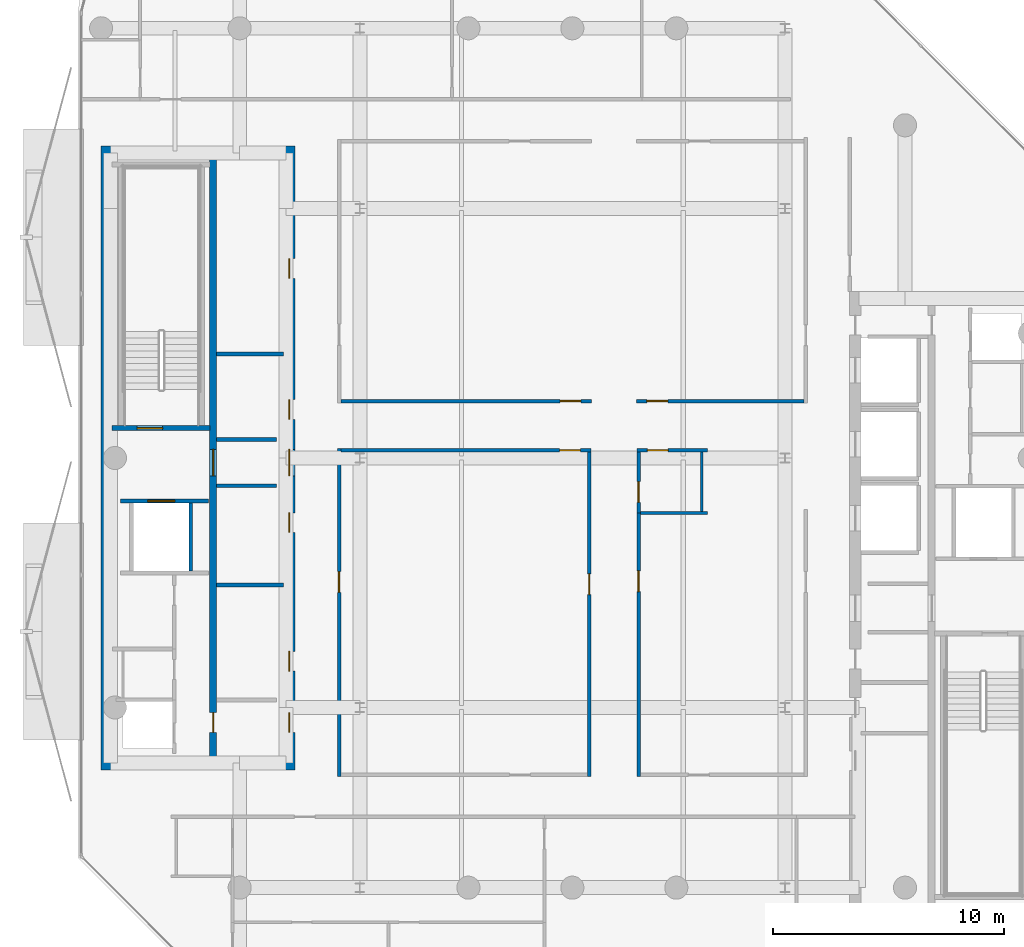
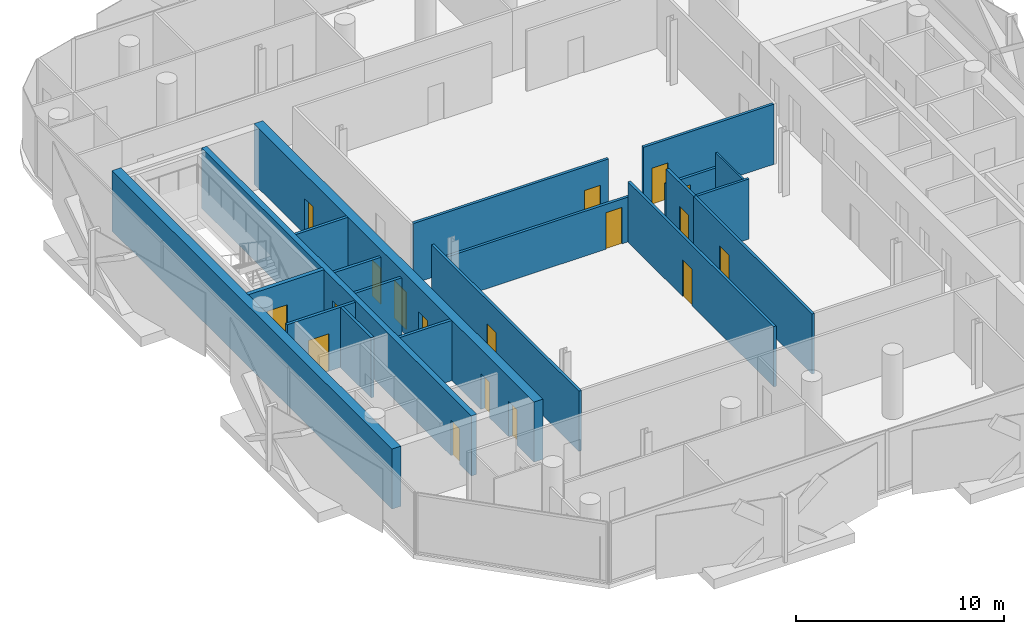
# One storey, part 5 of 16: 20 walls, 18 doors, 18 openings.
"""IFC4 building model written with IfcOpenShell, lengths in metres."""

from ifc_helpers import new_model, si_unit, direction, frame, frame_2d, origin, place, context, subcontext, project, spatial, rectangle, extrude, material, layer, layer_set, type_object, element, fill, save


model = new_model("IFC4")

# Units and contexts
model_context = context("Model", 3, precision=1e-05, world=origin(), true_north=direction((0.0, 1.0)))
body_context = subcontext(model_context, "Body", "Model", "MODEL_VIEW")
ifc_project = project(units=[si_unit("LENGTHUNIT", "METRE"), si_unit("AREAUNIT", "SQUARE_METRE"), si_unit("VOLUMEUNIT", "CUBIC_METRE"), si_unit("PLANEANGLEUNIT", "RADIAN"), si_unit("MASSUNIT", "GRAM", prefix="KILO")], contexts=[model_context])

# Site, building, storey
site_placement = place(None, origin())
site = spatial("IfcSite", under=ifc_project, at=site_placement, CompositionType="ELEMENT")
building_placement = place(site_placement, origin())
building = spatial("IfcBuilding", under=site, at=building_placement, Name="Khairoan Windgate Tower", CompositionType="ELEMENT")
storey_placement = place(building_placement, frame((0.0, 0.0, 292.800048828125)))
storey = spatial("IfcBuildingStorey", under=building, at=storey_placement, Name="L70", CompositionType="ELEMENT", Elevation=292.800048828125)

# Wall
ifc_material_1 = material(Name="Moisture-Resistant Gypsum Partition", Category="gypsum")
ifc_layer_1 = layer(ifc_material_1, 0.10009765625, Name="Moisture-Resistant Gypsum Partition")
ifc_layer_set_1 = layer_set([ifc_layer_1], Name="Moisture-Resistant Gypsum Partition")
wall_type_1 = type_object("IfcWallType", Name="Bathroom Wet-Area Partition Wall", PredefinedType="PARTITIONING", material=ifc_layer_set_1)
wall_1_placement = place(storey_placement, frame((5.60009765625, 0.260009765625, 0.0), z_axis=(0.0, 0.0, 1.0), x_axis=(0.0, -1.0, 0.0)))
element("IfcWall", 1, at=wall_1_placement, inside=storey, type_object=wall_type_1, Name="L70 Wet Room Side Wall 063", PredefinedType="PARTITIONING", context=body_context, shape_type="SweptSolid", body=[
    extrude(rectangle(XDim=2.570068359375, YDim=0.10009765625, at=frame_2d((1.28515625, 0.0))), origin(), (0.0, 0.0, 1.0), 3.5400390625),
])

# Wall, opening, door
ifc_material_2 = material(Name="Concrete C40/50", Category="concrete")
ifc_layer_2 = layer(ifc_material_2, 0.159912109375, Name="Concrete C40/50")
ifc_layer_set_2 = layer_set([ifc_layer_2], Name="Concrete C40/50")
wall_type_2 = type_object("IfcWallType", Name="Core and Hoistway Enclosure Wall", PredefinedType="STANDARD", material=ifc_layer_set_2)
wall_2_placement = place(storey_placement, frame((-19.550048828125, -1.860107421875, 0.0), z_axis=(0.0, 0.0, 1.0), x_axis=(1.0, 0.0, 0.0)))
wall_2 = element("IfcWall", 2, at=wall_2_placement, inside=storey, type_object=wall_type_2, Name="L70 Core Shaft Wall SW-FL2-L70", PredefinedType="STANDARD", context=body_context, shape_type="SweptSolid", body=[
    extrude(rectangle(XDim=3.800048828125, YDim=0.159912109375, at=frame_2d((1.89990234375, 0.0))), origin(), (0.0, 0.0, 1.0), 3.5400390625),
])
opening_1_placement = place(wall_2_placement, frame((1.179931640625, 0.0, 0.0)))
opening_1 = element("IfcOpeningElement", 3, at=opening_1_placement, cuts=wall_2, Name="Opening LD-FL", PredefinedType="OPENING", context=body_context, shape_type="SweptSolid", body=[
    extrude(rectangle(XDim=1.14990234375, YDim=2.199951171875, at=frame_2d((0.574951171875, 1.10009765625))), frame((0.0, 0.08984375, 0.0), z_axis=(0.0, -1.0, 0.0), x_axis=(1.0, 0.0, 0.0)), (0.0, 0.0, 1.0), 0.179931640625),
])
ifc_material_3 = material(Name="Steel S355", Category="steel")
door_type_1 = type_object("IfcDoorType", Name="Firefighting Lift Sliding Landing Door LD-FL 1150x2200", OperationType="DOUBLE_DOOR_SLIDING", PredefinedType="DOOR", material=ifc_material_3)
door_1_placement = place(opening_1_placement, origin())
door_1 = element("IfcDoor", 4, at=door_1_placement, inside=storey, type_object=door_type_1, Name="L70 Firefighting Lift FL2 Landing Door", OperationType="DOUBLE_DOOR_SLIDING", OverallHeight=2.199951171875, OverallWidth=1.14990234375, PredefinedType="DOOR", context=body_context, shape_type="SweptSolid", body=[
    extrude(rectangle(XDim=1.14990234375, YDim=2.199951171875, at=frame_2d((0.574951171875, 1.10009765625))), frame((0.0, 0.02490234375, 0.0), z_axis=(0.0, -1.0, 0.0), x_axis=(1.0, 0.0, 0.0)), (0.0, 0.0, 1.0), 0.050048828125),
])
fill(opening_1, door_1)

# Walls
wall_3_placement = place(storey_placement, frame((-16.52001953125, -4.89990234375, 0.0), z_axis=(0.0, 0.0, 1.0), x_axis=(0.0, 1.0, 0.0)))
element("IfcWall", 5, at=wall_3_placement, inside=storey, type_object=wall_type_2, Name="L70 Core Shaft Wall SW-FL2E-L70", PredefinedType="STANDARD", context=body_context, shape_type="SweptSolid", body=[
    extrude(rectangle(XDim=2.9599609375, YDim=0.159912109375, at=frame_2d((1.47998046875, 0.0))), origin(), (0.0, 0.0, 1.0), 3.5400390625),
])
for number, where, z_axis, x_axis, name in (
    (6, (-15.39990234375, 0.800048828125, 0.0), (0.0, 0.0, 1.0), (1.0, 0.0, 0.0), "L70 Core Shaft Wall SW-WV1-L70"),
    (7, (-15.39990234375, -1.199951171875, 0.0), (0.0, 0.0, 1.0), (1.0, 0.0, 0.0), "L70 Core Shaft Wall SW-WV2-L70"),
):
    element("IfcWall", number, at=place(storey_placement, frame(where, z_axis=z_axis, x_axis=x_axis)), inside=storey, type_object=wall_type_2, Name=name, PredefinedType="STANDARD", context=body_context, shape_type="SweptSolid", body=[
        extrude(rectangle(XDim=2.599853515625, YDim=0.159912109375, at=frame_2d((1.2998046875, 0.0))), origin(), (0.0, 0.0, 1.0), 3.5400390625),
    ])
ifc_material_4 = material(Name="Acoustic Fire-Rated Gypsum Partition", Category="gypsum")
ifc_layer_3 = layer(ifc_material_4, 0.139892578125, Name="Acoustic Fire-Rated Gypsum Partition")
ifc_layer_set_3 = layer_set([ifc_layer_3], Name="Acoustic Fire-Rated Gypsum Partition")
wall_type_3 = type_object("IfcWallType", Name="Inter-Tenancy Compartment Wall", PredefinedType="PARTITIONING", material=ifc_layer_set_3)
wall_4_placement = place(storey_placement, frame((2.93994140625, -2.3798828125, 0.0), z_axis=(0.0, 0.0, 1.0), x_axis=(1.0, 0.0, 0.0)))
element("IfcWall", 8, at=wall_4_placement, inside=storey, type_object=wall_type_3, Name="L70 Interior Partition 059", PredefinedType="PARTITIONING", context=body_context, shape_type="SweptSolid", body=[
    extrude(rectangle(XDim=2.900146484375, YDim=0.139892578125, at=frame_2d((1.4501953125, 0.0))), origin(), (0.0, 0.0, 1.0), 3.5400390625),
])
ifc_material_5 = material(Name="Concrete C40/50", Category="concrete")
ifc_layer_4 = layer(ifc_material_5, 0.159912109375, Name="Concrete C40/50")
ifc_layer_set_4 = layer_set([ifc_layer_4], Name="Concrete C40/50")
wall_type_4 = type_object("IfcWallType", Name="Plant and Refuge Compartment Wall", PredefinedType="PARTITIONING", material=ifc_layer_set_4)
for number, where, z_axis, x_axis, name in (
    (9, (-15.39990234375, 4.5, 0.0), (0.0, 0.0, 1.0), (1.0, 0.0, 0.0), "L70 Interior Partition 006"),
    (10, (-15.39990234375, -5.5, 0.0), (0.0, 0.0, 1.0), (1.0, 0.0, 0.0), "L70 Interior Partition 007"),
):
    element("IfcWall", number, at=place(storey_placement, frame(where, z_axis=z_axis, x_axis=x_axis)), inside=storey, type_object=wall_type_4, Name=name, PredefinedType="PARTITIONING", context=body_context, shape_type="SweptSolid", body=[
        extrude(rectangle(XDim=2.89990234375, YDim=0.159912109375, at=frame_2d((1.449951171875, 0.0))), origin(), (0.0, 0.0, 1.0), 3.5400390625),
    ])

# Wall, opening, door
ifc_material_6 = material(Name="Acoustic Fire-Rated Gypsum Partition", Category="gypsum")
ifc_layer_5 = layer(ifc_material_6, 0.14990234375, Name="Acoustic Fire-Rated Gypsum Partition")
ifc_layer_set_5 = layer_set([ifc_layer_5], Name="Acoustic Fire-Rated Gypsum Partition")
wall_type_5 = type_object("IfcWallType", Name="Rated Corridor Partition Wall", PredefinedType="PARTITIONING", material=ifc_layer_set_5)
wall_5_placement = place(storey_placement, frame((-10.10009765625, -13.794921875, 0.0), z_axis=(0.0, 0.0, 1.0), x_axis=(0.0, 1.0, 0.0)))
wall_5 = element("IfcWall", 11, at=wall_5_placement, inside=storey, type_object=wall_type_5, Name="L70 Interior Partition 016", PredefinedType="PARTITIONING", context=body_context, shape_type="SweptSolid", body=[
    extrude(rectangle(XDim=14.204833984375, YDim=0.14990234375, at=frame_2d((7.1025390625, 0.0))), origin(), (0.0, 0.0, 1.0), 3.5400390625),
])
opening_2_placement = place(wall_5_placement, frame((7.97216796875, 0.0, 0.0)))
opening_2 = element("IfcOpeningElement", 12, at=opening_2_placement, cuts=wall_5, Name="Opening FD-ENT", PredefinedType="OPENING", context=body_context, shape_type="SweptSolid", body=[
    extrude(rectangle(XDim=0.89990234375, YDim=2.14990234375, at=frame_2d((0.449951171875, 1.074951171875))), frame((0.0, 0.0849609375, 0.0), z_axis=(0.0, -1.0, 0.0), x_axis=(1.0, 0.0, 0.0)), (0.0, 0.0, 1.0), 0.169921875),
])
ifc_material_7 = material(Name="Timber Fire-Rated Core", Category="wood")
door_type_2 = type_object("IfcDoorType", Name="Unit and Office Fire Entrance Door FD-ENT 900x2150", OperationType="NOTDEFINED", PredefinedType="DOOR", material=ifc_material_7)
door_2_placement = place(opening_2_placement, origin())
door_2 = element("IfcDoor", 13, at=door_2_placement, inside=storey, type_object=door_type_2, Name="L70 L70-29-L70-51 Door", OperationType="SINGLE_SWING_LEFT", OverallHeight=2.14990234375, OverallWidth=0.89990234375, PredefinedType="DOOR", context=body_context, shape_type="SweptSolid", body=[
    extrude(rectangle(XDim=0.89990234375, YDim=2.14990234375, at=frame_2d((0.449951171875, 1.074951171875))), frame((0.0, 0.02490234375, 0.0), z_axis=(0.0, -1.0, 0.0), x_axis=(1.0, 0.0, 0.0)), (0.0, 0.0, 1.0), 0.050048828125),
])
fill(opening_2, door_2)

wall_6_placement = place(storey_placement, frame((-10.02490234375, 2.465087890625, 0.0), z_axis=(0.0, 0.0, 1.0), x_axis=(1.0, 0.0, 0.0)))
wall_6 = element("IfcWall", 14, at=wall_6_placement, inside=storey, type_object=wall_type_5, Name="L70 Interior Partition 020", PredefinedType="PARTITIONING", context=body_context, shape_type="SweptSolid", body=[
    extrude(rectangle(XDim=10.85498046875, YDim=0.14990234375, at=frame_2d((5.427490234375, 0.0))), origin(), (0.0, 0.0, 1.0), 3.5400390625),
])
opening_3_placement = place(wall_6_placement, frame((9.4951171875, 0.0, 0.0)))
opening_3 = element("IfcOpeningElement", 15, at=opening_3_placement, cuts=wall_6, Name="Opening FD-ENT", PredefinedType="OPENING", context=body_context, shape_type="SweptSolid", body=[
    extrude(rectangle(XDim=0.89990234375, YDim=2.14990234375, at=frame_2d((0.449951171875, 1.074951171875))), frame((0.0, 0.0849609375, 0.0), z_axis=(0.0, -1.0, 0.0), x_axis=(1.0, 0.0, 0.0)), (0.0, 0.0, 1.0), 0.169921875),
])
door_3_placement = place(opening_3_placement, origin())
door_3 = element("IfcDoor", 16, at=door_3_placement, inside=storey, type_object=door_type_2, Name="L70 L70-31-L70-50 Door", OperationType="SINGLE_SWING_LEFT", OverallHeight=2.14990234375, OverallWidth=0.89990234375, PredefinedType="DOOR", context=body_context, shape_type="SweptSolid", body=[
    extrude(rectangle(XDim=0.89990234375, YDim=2.14990234375, at=frame_2d((0.449951171875, 1.074951171875))), frame((0.0, 0.02490234375, 0.0), z_axis=(0.0, -1.0, 0.0), x_axis=(1.0, 0.0, 0.0)), (0.0, 0.0, 1.0), 0.050048828125),
])
fill(opening_3, door_3)

wall_7_placement = place(storey_placement, frame((-10.02490234375, 0.3349609375, 0.0), z_axis=(0.0, 0.0, 1.0), x_axis=(1.0, 0.0, 0.0)))
wall_7 = element("IfcWall", 17, at=wall_7_placement, inside=storey, type_object=wall_type_5, Name="L70 Interior Partition 021", PredefinedType="PARTITIONING", context=body_context, shape_type="SweptSolid", body=[
    extrude(rectangle(XDim=10.8349609375, YDim=0.14990234375, at=frame_2d((5.41748046875, 0.0))), origin(), (0.0, 0.0, 1.0), 2.639892578125),
])
opening_4_placement = place(wall_7_placement, frame((9.47509765625, 0.0, 0.0)))
opening_4 = element("IfcOpeningElement", 18, at=opening_4_placement, cuts=wall_7, Name="Opening FD-ENT", PredefinedType="OPENING", context=body_context, shape_type="SweptSolid", body=[
    extrude(rectangle(XDim=0.89990234375, YDim=2.14990234375, at=frame_2d((0.449951171875, 1.074951171875))), frame((0.0, 0.0849609375, 0.0), z_axis=(0.0, -1.0, 0.0), x_axis=(1.0, 0.0, 0.0)), (0.0, 0.0, 1.0), 0.169921875),
])
door_4_placement = place(opening_4_placement, origin())
door_4 = element("IfcDoor", 19, at=door_4_placement, inside=storey, type_object=door_type_2, Name="L70 L70-31-L70-51 Door", OperationType="SINGLE_SWING_RIGHT", OverallHeight=2.14990234375, OverallWidth=0.89990234375, PredefinedType="DOOR", context=body_context, shape_type="SweptSolid", body=[
    extrude(rectangle(XDim=0.89990234375, YDim=2.14990234375, at=frame_2d((0.449951171875, 1.074951171875))), frame((0.0, 0.02490234375, 0.0), z_axis=(0.0, -1.0, 0.0), x_axis=(1.0, 0.0, 0.0)), (0.0, 0.0, 1.0), 0.050048828125),
])
fill(opening_4, door_4)

wall_8_placement = place(storey_placement, frame((2.77001953125, 2.465087890625, 0.0), z_axis=(0.0, 0.0, 1.0), x_axis=(1.0, 0.0, 0.0)))
wall_8 = element("IfcWall", 20, at=wall_8_placement, inside=storey, type_object=wall_type_5, Name="L70 Interior Partition 022", PredefinedType="PARTITIONING", context=body_context, shape_type="SweptSolid", body=[
    extrude(rectangle(XDim=7.2548828125, YDim=0.14990234375, at=frame_2d((3.62744140625, 0.0))), origin(), (0.0, 0.0, 1.0), 3.5400390625),
])
opening_5_placement = place(wall_8_placement, frame((0.4599609375, 0.0, 0.0)))
opening_5 = element("IfcOpeningElement", 21, at=opening_5_placement, cuts=wall_8, Name="Opening FD-ENT", PredefinedType="OPENING", context=body_context, shape_type="SweptSolid", body=[
    extrude(rectangle(XDim=0.89990234375, YDim=2.14990234375, at=frame_2d((0.449951171875, 1.074951171875))), frame((0.0, 0.0849609375, 0.0), z_axis=(0.0, -1.0, 0.0), x_axis=(1.0, 0.0, 0.0)), (0.0, 0.0, 1.0), 0.169921875),
])
door_5_placement = place(opening_5_placement, origin())
door_5 = element("IfcDoor", 22, at=door_5_placement, inside=storey, type_object=door_type_2, Name="L70 L70-31-L70-52 Door", OperationType="SINGLE_SWING_LEFT", OverallHeight=2.14990234375, OverallWidth=0.89990234375, PredefinedType="DOOR", context=body_context, shape_type="SweptSolid", body=[
    extrude(rectangle(XDim=0.89990234375, YDim=2.14990234375, at=frame_2d((0.449951171875, 1.074951171875))), frame((0.0, 0.02490234375, 0.0), z_axis=(0.0, -1.0, 0.0), x_axis=(1.0, 0.0, 0.0)), (0.0, 0.0, 1.0), 0.050048828125),
])
fill(opening_5, door_5)

wall_9_placement = place(storey_placement, frame((2.7900390625, 0.3349609375, 0.0), z_axis=(0.0, 0.0, 1.0), x_axis=(1.0, 0.0, 0.0)))
wall_9 = element("IfcWall", 23, at=wall_9_placement, inside=storey, type_object=wall_type_5, Name="L70 Interior Partition 023", PredefinedType="PARTITIONING", context=body_context, shape_type="SweptSolid", body=[
    extrude(rectangle(XDim=3.050048828125, YDim=0.14990234375, at=frame_2d((1.52490234375, 0.0))), origin(), (0.0, 0.0, 1.0), 2.639892578125),
])
opening_6_placement = place(wall_9_placement, frame((0.4599609375, 0.0, 0.0)))
opening_6 = element("IfcOpeningElement", 24, at=opening_6_placement, cuts=wall_9, Name="Opening FD-ENT", PredefinedType="OPENING", context=body_context, shape_type="SweptSolid", body=[
    extrude(rectangle(XDim=0.89990234375, YDim=2.14990234375, at=frame_2d((0.449951171875, 1.074951171875))), frame((0.0, 0.0849609375, 0.0), z_axis=(0.0, -1.0, 0.0), x_axis=(1.0, 0.0, 0.0)), (0.0, 0.0, 1.0), 0.169921875),
])
door_6_placement = place(opening_6_placement, origin())
door_6 = element("IfcDoor", 25, at=door_6_placement, inside=storey, type_object=door_type_2, Name="L70 L70-31-L70-53 Door", OperationType="SINGLE_SWING_RIGHT", OverallHeight=2.14990234375, OverallWidth=0.89990234375, PredefinedType="DOOR", context=body_context, shape_type="SweptSolid", body=[
    extrude(rectangle(XDim=0.89990234375, YDim=2.14990234375, at=frame_2d((0.449951171875, 1.074951171875))), frame((0.0, 0.02490234375, 0.0), z_axis=(0.0, -1.0, 0.0), x_axis=(1.0, 0.0, 0.0)), (0.0, 0.0, 1.0), 0.050048828125),
])
fill(opening_6, door_6)

wall_10_placement = place(storey_placement, frame((0.735107421875, -13.794921875, 0.0), z_axis=(0.0, 0.0, 1.0), x_axis=(0.0, 1.0, 0.0)))
wall_10 = element("IfcWall", 26, at=wall_10_placement, inside=storey, type_object=wall_type_5, Name="L70 Interior Partition 024", PredefinedType="PARTITIONING", context=body_context, shape_type="SweptSolid", body=[
    extrude(rectangle(XDim=14.054931640625, YDim=0.14990234375, at=frame_2d((7.02734375, 0.0))), origin(), (0.0, 0.0, 1.0), 3.5400390625),
])
opening_7_placement = place(wall_10_placement, frame((7.881103515625, 0.0, 0.0)))
opening_7 = element("IfcOpeningElement", 27, at=opening_7_placement, cuts=wall_10, Name="Opening FD-ENT", PredefinedType="OPENING", context=body_context, shape_type="SweptSolid", body=[
    extrude(rectangle(XDim=0.89990234375, YDim=2.14990234375, at=frame_2d((0.449951171875, 1.074951171875))), frame((0.0, 0.0849609375, 0.0), z_axis=(0.0, -1.0, 0.0), x_axis=(1.0, 0.0, 0.0)), (0.0, 0.0, 1.0), 0.169921875),
])
door_7_placement = place(opening_7_placement, origin())
door_7 = element("IfcDoor", 28, at=door_7_placement, inside=storey, type_object=door_type_2, Name="L70 L70-32-L70-51 Door", OperationType="SINGLE_SWING_LEFT", OverallHeight=2.14990234375, OverallWidth=0.89990234375, PredefinedType="DOOR", context=body_context, shape_type="SweptSolid", body=[
    extrude(rectangle(XDim=0.89990234375, YDim=2.14990234375, at=frame_2d((0.449951171875, 1.074951171875))), frame((0.0, 0.02490234375, 0.0), z_axis=(0.0, -1.0, 0.0), x_axis=(1.0, 0.0, 0.0)), (0.0, 0.0, 1.0), 0.050048828125),
])
fill(opening_7, door_7)

wall_11_placement = place(storey_placement, frame((2.864990234375, -2.3798828125, 0.0), z_axis=(0.0, 0.0, 1.0), x_axis=(0.0, 1.0, 0.0)))
wall_11 = element("IfcWall", 29, at=wall_11_placement, inside=storey, type_object=wall_type_5, Name="L70 Interior Partition 025", PredefinedType="PARTITIONING", context=body_context, shape_type="SweptSolid", body=[
    extrude(rectangle(XDim=2.639892578125, YDim=0.14990234375, at=frame_2d((1.31982421875, 0.0))), origin(), (0.0, 0.0, 1.0), 3.5400390625),
])
opening_8_placement = place(wall_11_placement, frame((0.4599609375, 0.0, 0.0)))
opening_8 = element("IfcOpeningElement", 30, at=opening_8_placement, cuts=wall_11, Name="Opening FD-ENT", PredefinedType="OPENING", context=body_context, shape_type="SweptSolid", body=[
    extrude(rectangle(XDim=0.89990234375, YDim=2.14990234375, at=frame_2d((0.449951171875, 1.074951171875))), frame((0.0, 0.0849609375, 0.0), z_axis=(0.0, -1.0, 0.0), x_axis=(1.0, 0.0, 0.0)), (0.0, 0.0, 1.0), 0.169921875),
])
door_8_placement = place(opening_8_placement, origin())
door_8 = element("IfcDoor", 31, at=door_8_placement, inside=storey, type_object=door_type_2, Name="L70 L70-32-L70-53 Door", OperationType="SINGLE_SWING_RIGHT", OverallHeight=2.14990234375, OverallWidth=0.89990234375, PredefinedType="DOOR", context=body_context, shape_type="SweptSolid", body=[
    extrude(rectangle(XDim=0.89990234375, YDim=2.14990234375, at=frame_2d((0.449951171875, 1.074951171875))), frame((0.0, 0.02490234375, 0.0), z_axis=(0.0, -1.0, 0.0), x_axis=(1.0, 0.0, 0.0)), (0.0, 0.0, 1.0), 0.050048828125),
])
fill(opening_8, door_8)

wall_12_placement = place(storey_placement, frame((2.864990234375, -13.794921875, 0.0), z_axis=(0.0, 0.0, 1.0), x_axis=(0.0, 1.0, 0.0)))
wall_12 = element("IfcWall", 32, at=wall_12_placement, inside=storey, type_object=wall_type_5, Name="L70 Interior Partition 026", PredefinedType="PARTITIONING", context=body_context, shape_type="SweptSolid", body=[
    extrude(rectangle(XDim=11.4150390625, YDim=0.14990234375, at=frame_2d((5.70751953125, 0.0))), origin(), (0.0, 0.0, 1.0), 3.5400390625),
])
opening_9_placement = place(wall_12_placement, frame((8.013427734375, 0.0, 0.0)))
opening_9 = element("IfcOpeningElement", 33, at=opening_9_placement, cuts=wall_12, Name="Opening FD-ENT", PredefinedType="OPENING", context=body_context, shape_type="SweptSolid", body=[
    extrude(rectangle(XDim=0.89990234375, YDim=2.14990234375, at=frame_2d((0.449951171875, 1.074951171875))), frame((0.0, 0.0849609375, 0.0), z_axis=(0.0, -1.0, 0.0), x_axis=(1.0, 0.0, 0.0)), (0.0, 0.0, 1.0), 0.169921875),
])
door_9_placement = place(opening_9_placement, origin())
door_9 = element("IfcDoor", 34, at=door_9_placement, inside=storey, type_object=door_type_2, Name="L70 L70-32-L70-54 Door", OperationType="SINGLE_SWING_LEFT", OverallHeight=2.14990234375, OverallWidth=0.89990234375, PredefinedType="DOOR", context=body_context, shape_type="SweptSolid", body=[
    extrude(rectangle(XDim=0.89990234375, YDim=2.14990234375, at=frame_2d((0.449951171875, 1.074951171875))), frame((0.0, 0.02490234375, 0.0), z_axis=(0.0, -1.0, 0.0), x_axis=(1.0, 0.0, 0.0)), (0.0, 0.0, 1.0), 0.050048828125),
])
fill(opening_9, door_9)

# Wall
ifc_material_8 = material(Name="Concrete C50/60", Category="concrete")
ifc_layer_6 = layer(ifc_material_8, 0.5, Name="Concrete C50/60")
ifc_layer_set_6 = layer_set([ifc_layer_6], Name="Concrete C50/60")
wall_type_6 = type_object("IfcWallType", Name="Shear Wall CW-W3 500mm", PredefinedType="SHEAR", material=ifc_layer_set_6)
wall_13_placement = place(storey_placement, frame((-20.14990234375, -13.5, 0.0), z_axis=(0.0, 0.0, 1.0), x_axis=(0.0, 1.0, 0.0)))
element("IfcWall", 35, at=wall_13_placement, inside=storey, type_object=wall_type_6, Name="W Core West Shear Wall L70", PredefinedType="SHEAR", context=body_context, shape_type="SweptSolid", body=[
    extrude(rectangle(XDim=27.0, YDim=0.5, at=frame_2d((13.5, 0.0))), origin(), (0.0, 0.0, 1.0), 3.5400390625),
])

# Wall, openings, doors
wall_14_placement = place(storey_placement, frame((-12.25, -13.5, 0.0), z_axis=(0.0, 0.0, 1.0), x_axis=(0.0, 1.0, 0.0)))
wall_14 = element("IfcWall", 36, at=wall_14_placement, inside=storey, type_object=wall_type_6, Name="W Core East Shear Wall L70", PredefinedType="SHEAR", context=body_context, shape_type="SweptSolid", body=[
    extrude(rectangle(XDim=27.0, YDim=0.5, at=frame_2d((13.5, 0.0))), origin(), (0.0, 0.0, 1.0), 3.5400390625),
])
opening_10_placement = place(wall_14_placement, frame((15.175048828125, 0.0, 0.0)))
opening_10 = element("IfcOpeningElement", 37, at=opening_10_placement, cuts=wall_14, Name="Opening FD-SRV", PredefinedType="OPENING", context=body_context, shape_type="SweptSolid", body=[
    extrude(rectangle(XDim=0.85009765625, YDim=2.10009765625, at=frame_2d((0.425048828125, 1.050048828125))), frame((0.0, 0.260009765625, 0.0), z_axis=(0.0, -1.0, 0.0), x_axis=(1.0, 0.0, 0.0)), (0.0, 0.0, 1.0), 0.52001953125),
])
opening_11_placement = place(wall_14_placement, frame((21.27490234375, 0.0, 0.0)))
opening_11 = element("IfcOpeningElement", 38, at=opening_11_placement, cuts=wall_14, Name="Opening FD-SRV", PredefinedType="OPENING", context=body_context, shape_type="SweptSolid", body=[
    extrude(rectangle(XDim=0.85009765625, YDim=2.10009765625, at=frame_2d((0.425048828125, 1.050048828125))), frame((0.0, 0.260009765625, 0.0), z_axis=(0.0, -1.0, 0.0), x_axis=(1.0, 0.0, 0.0)), (0.0, 0.0, 1.0), 0.52001953125),
])
opening_12_placement = place(wall_14_placement, frame((4.27490234375, 0.0, 0.0)))
opening_12 = element("IfcOpeningElement", 39, at=opening_12_placement, cuts=wall_14, Name="Opening FD-SRV", PredefinedType="OPENING", context=body_context, shape_type="SweptSolid", body=[
    extrude(rectangle(XDim=0.85009765625, YDim=2.10009765625, at=frame_2d((0.425048828125, 1.050048828125))), frame((0.0, 0.260009765625, 0.0), z_axis=(0.0, -1.0, 0.0), x_axis=(1.0, 0.0, 0.0)), (0.0, 0.0, 1.0), 0.52001953125),
])
opening_13_placement = place(wall_14_placement, frame((10.27490234375, 0.0, 0.0)))
opening_13 = element("IfcOpeningElement", 40, at=opening_13_placement, cuts=wall_14, Name="Opening FD-SRV", PredefinedType="OPENING", context=body_context, shape_type="SweptSolid", body=[
    extrude(rectangle(XDim=0.85009765625, YDim=2.10009765625, at=frame_2d((0.425048828125, 1.050048828125))), frame((0.0, 0.260009765625, 0.0), z_axis=(0.0, -1.0, 0.0), x_axis=(1.0, 0.0, 0.0)), (0.0, 0.0, 1.0), 0.52001953125),
])
opening_14_placement = place(wall_14_placement, frame((12.72509765625, 0.0, 0.0)))
opening_14 = element("IfcOpeningElement", 41, at=opening_14_placement, cuts=wall_14, Name="Opening FD-FFL", PredefinedType="OPENING", context=body_context, shape_type="SweptSolid", body=[
    extrude(rectangle(XDim=1.14990234375, YDim=2.199951171875, at=frame_2d((0.574951171875, 1.10009765625))), frame((0.0, 0.260009765625, 0.0), z_axis=(0.0, -1.0, 0.0), x_axis=(1.0, 0.0, 0.0)), (0.0, 0.0, 1.0), 0.52001953125),
])
opening_15_placement = place(wall_14_placement, frame((1.625, 0.0, 0.0)))
opening_15 = element("IfcOpeningElement", 42, at=opening_15_placement, cuts=wall_14, Name="Opening FD-SRV", PredefinedType="OPENING", context=body_context, shape_type="SweptSolid", body=[
    extrude(rectangle(XDim=0.85009765625, YDim=2.10009765625, at=frame_2d((0.425048828125, 1.050048828125))), frame((0.0, 0.260009765625, 0.0), z_axis=(0.0, -1.0, 0.0), x_axis=(1.0, 0.0, 0.0)), (0.0, 0.0, 1.0), 0.52001953125),
])
ifc_material_9 = material(Name="Steel S355", Category="steel")
door_type_3 = type_object("IfcDoorType", Name="Core Service and Riser Fire Door FD-SRV 850x2100", OperationType="NOTDEFINED", PredefinedType="DOOR", material=ifc_material_9)
door_10_placement = place(opening_10_placement, origin())
door_10 = element("IfcDoor", 43, at=door_10_placement, inside=storey, type_object=door_type_3, Name="L70 Upper Core Room Door B1-1", OperationType="SINGLE_SWING_LEFT", OverallHeight=2.10009765625, OverallWidth=0.85009765625, PredefinedType="DOOR", context=body_context, shape_type="SweptSolid", body=[
    extrude(rectangle(XDim=0.85009765625, YDim=2.10009765625, at=frame_2d((0.425048828125, 1.050048828125))), frame((0.0, 0.02490234375, 0.0), z_axis=(0.0, -1.0, 0.0), x_axis=(1.0, 0.0, 0.0)), (0.0, 0.0, 1.0), 0.050048828125),
])
fill(opening_10, door_10)
door_11_placement = place(opening_11_placement, origin())
door_11 = element("IfcDoor", 44, at=door_11_placement, inside=storey, type_object=door_type_3, Name="L70 Upper Core Room Door B1-2", OperationType="SINGLE_SWING_RIGHT", OverallHeight=2.10009765625, OverallWidth=0.85009765625, PredefinedType="DOOR", context=body_context, shape_type="SweptSolid", body=[
    extrude(rectangle(XDim=0.85009765625, YDim=2.10009765625, at=frame_2d((0.425048828125, 1.050048828125))), frame((0.0, 0.02490234375, 0.0), z_axis=(0.0, -1.0, 0.0), x_axis=(1.0, 0.0, 0.0)), (0.0, 0.0, 1.0), 0.050048828125),
])
fill(opening_11, door_11)
door_12_placement = place(opening_12_placement, origin())
door_12 = element("IfcDoor", 45, at=door_12_placement, inside=storey, type_object=door_type_3, Name="L70 Upper Core Room Door B2-1", OperationType="SINGLE_SWING_LEFT", OverallHeight=2.10009765625, OverallWidth=0.85009765625, PredefinedType="DOOR", context=body_context, shape_type="SweptSolid", body=[
    extrude(rectangle(XDim=0.85009765625, YDim=2.10009765625, at=frame_2d((0.425048828125, 1.050048828125))), frame((0.0, 0.02490234375, 0.0), z_axis=(0.0, -1.0, 0.0), x_axis=(1.0, 0.0, 0.0)), (0.0, 0.0, 1.0), 0.050048828125),
])
fill(opening_12, door_12)
door_13_placement = place(opening_13_placement, origin())
door_13 = element("IfcDoor", 46, at=door_13_placement, inside=storey, type_object=door_type_3, Name="L70 Upper Core Room Door B2-2", OperationType="SINGLE_SWING_RIGHT", OverallHeight=2.10009765625, OverallWidth=0.85009765625, PredefinedType="DOOR", context=body_context, shape_type="SweptSolid", body=[
    extrude(rectangle(XDim=0.85009765625, YDim=2.10009765625, at=frame_2d((0.425048828125, 1.050048828125))), frame((0.0, 0.02490234375, 0.0), z_axis=(0.0, -1.0, 0.0), x_axis=(1.0, 0.0, 0.0)), (0.0, 0.0, 1.0), 0.050048828125),
])
fill(opening_13, door_13)
door_14_placement = place(opening_15_placement, origin())
door_14 = element("IfcDoor", 47, at=door_14_placement, inside=storey, type_object=door_type_3, Name="L70 West Core Service Vestibule Outer Door", OperationType="SINGLE_SWING_RIGHT", OverallHeight=2.10009765625, OverallWidth=0.85009765625, PredefinedType="DOOR", context=body_context, shape_type="SweptSolid", body=[
    extrude(rectangle(XDim=0.85009765625, YDim=2.10009765625, at=frame_2d((0.425048828125, 1.050048828125))), frame((0.0, 0.02490234375, 0.0), z_axis=(0.0, -1.0, 0.0), x_axis=(1.0, 0.0, 0.0)), (0.0, 0.0, 1.0), 0.050048828125),
])
fill(opening_15, door_14)
ifc_material_10 = material(Name="Steel S355", Category="steel")
door_type_4 = type_object("IfcDoorType", Name="Firefighting Lobby Fire Door FD-FFL 1150x2200", OperationType="NOTDEFINED", PredefinedType="DOOR", material=ifc_material_10)
door_15_placement = place(opening_14_placement, origin())
door_15 = element("IfcDoor", 48, at=door_15_placement, inside=storey, type_object=door_type_4, Name="L70 West Core Vestibule Entry Door", OperationType="SINGLE_SWING_RIGHT", OverallHeight=2.199951171875, OverallWidth=1.14990234375, PredefinedType="DOOR", context=body_context, shape_type="SweptSolid", body=[
    extrude(rectangle(XDim=1.14990234375, YDim=2.199951171875, at=frame_2d((0.574951171875, 1.10009765625))), frame((0.0, 0.02490234375, 0.0), z_axis=(0.0, -1.0, 0.0), x_axis=(1.0, 0.0, 0.0)), (0.0, 0.0, 1.0), 0.050048828125),
])
fill(opening_14, door_15)

ifc_material_11 = material(Name="Concrete C50/60", Category="concrete")
ifc_layer_7 = layer(ifc_material_11, 0.300048828125, Name="Concrete C50/60")
ifc_layer_set_7 = layer_set([ifc_layer_7], Name="Concrete C50/60")
wall_type_7 = type_object("IfcWallType", Name="Shear Wall SW-2 300mm", PredefinedType="SHEAR", material=ifc_layer_set_7)
wall_15_placement = place(storey_placement, frame((-15.550048828125, -13.0, 0.0), z_axis=(0.0, 0.0, 1.0), x_axis=(0.0, 1.0, 0.0)))
wall_15 = element("IfcWall", 49, at=wall_15_placement, inside=storey, type_object=wall_type_7, Name="W Core Spine Shear Wall L70", PredefinedType="SHEAR", context=body_context, shape_type="SweptSolid", body=[
    extrude(rectangle(XDim=26.0, YDim=0.300048828125, at=frame_2d((13.0, 0.0))), origin(), (0.0, 0.0, 1.0), 3.5400390625),
])
opening_16_placement = place(wall_15_placement, frame((12.22509765625, 0.0, 0.0)))
opening_16 = element("IfcOpeningElement", 50, at=opening_16_placement, cuts=wall_15, Name="Opening FD-FFL", PredefinedType="OPENING", context=body_context, shape_type="SweptSolid", body=[
    extrude(rectangle(XDim=1.14990234375, YDim=2.199951171875, at=frame_2d((0.574951171875, 1.10009765625))), frame((0.0, 0.159912109375, 0.0), z_axis=(0.0, -1.0, 0.0), x_axis=(1.0, 0.0, 0.0)), (0.0, 0.0, 1.0), 0.320068359375),
])
opening_17_placement = place(wall_15_placement, frame((1.125, 0.0, 0.0)))
opening_17 = element("IfcOpeningElement", 51, at=opening_17_placement, cuts=wall_15, Name="Opening FD-SRV", PredefinedType="OPENING", context=body_context, shape_type="SweptSolid", body=[
    extrude(rectangle(XDim=0.85009765625, YDim=2.10009765625, at=frame_2d((0.425048828125, 1.050048828125))), frame((0.0, 0.159912109375, 0.0), z_axis=(0.0, -1.0, 0.0), x_axis=(1.0, 0.0, 0.0)), (0.0, 0.0, 1.0), 0.320068359375),
])
door_16_placement = place(opening_17_placement, origin())
door_16 = element("IfcDoor", 52, at=door_16_placement, inside=storey, type_object=door_type_3, Name="L70 West Core Service Passage Inner Door", OperationType="SINGLE_SWING_LEFT", OverallHeight=2.10009765625, OverallWidth=0.85009765625, PredefinedType="DOOR", context=body_context, shape_type="SweptSolid", body=[
    extrude(rectangle(XDim=0.85009765625, YDim=2.10009765625, at=frame_2d((0.425048828125, 1.050048828125))), frame((0.0, 0.02490234375, 0.0), z_axis=(0.0, -1.0, 0.0), x_axis=(1.0, 0.0, 0.0)), (0.0, 0.0, 1.0), 0.050048828125),
])
fill(opening_17, door_16)
door_17_placement = place(opening_16_placement, origin())
door_17 = element("IfcDoor", 53, at=door_17_placement, inside=storey, type_object=door_type_4, Name="L70 West Firefighting Lobby Fire Door", OperationType="SINGLE_SWING_LEFT", OverallHeight=2.199951171875, OverallWidth=1.14990234375, PredefinedType="DOOR", context=body_context, shape_type="SweptSolid", body=[
    extrude(rectangle(XDim=1.14990234375, YDim=2.199951171875, at=frame_2d((0.574951171875, 1.10009765625))), frame((0.0, 0.02490234375, 0.0), z_axis=(0.0, -1.0, 0.0), x_axis=(1.0, 0.0, 0.0)), (0.0, 0.0, 1.0), 0.050048828125),
])
fill(opening_16, door_17)

# Wall, opening, door
ifc_material_12 = material(Name="Concrete C50/60", Category="concrete")
ifc_layer_8 = layer(ifc_material_12, 0.219970703125, Name="Concrete C50/60")
ifc_layer_set_8 = layer_set([ifc_layer_8], Name="Concrete C50/60")
wall_type_8 = type_object("IfcWallType", Name="Shear Wall SW-ST 220mm", PredefinedType="SHEAR", material=ifc_layer_set_8)
wall_16_placement = place(storey_placement, frame((-19.919921875, 1.2900390625, 0.0), z_axis=(0.0, 0.0, 1.0), x_axis=(1.0, 0.0, 0.0)))
wall_16 = element("IfcWall", 54, at=wall_16_placement, inside=storey, type_object=wall_type_8, Name="L70 Stair ST2 South Bearing Wall", PredefinedType="SHEAR", context=body_context, shape_type="SweptSolid", body=[
    extrude(rectangle(XDim=4.239990234375, YDim=0.219970703125, at=frame_2d((2.1201171875, 0.0))), origin(), (0.0, 0.0, 1.0), 3.5400390625),
])
opening_18_placement = place(wall_16_placement, frame((1.080078125, 0.0, 0.0)))
opening_18 = element("IfcOpeningElement", 55, at=opening_18_placement, cuts=wall_16, Name="Opening FD-ST", PredefinedType="OPENING", context=body_context, shape_type="SweptSolid", body=[
    extrude(rectangle(XDim=1.10009765625, YDim=2.199951171875, at=frame_2d((0.550048828125, 1.10009765625))), frame((0.0, 0.119873046875, 0.0), z_axis=(0.0, -1.0, 0.0), x_axis=(1.0, 0.0, 0.0)), (0.0, 0.0, 1.0), 0.239990234375),
])
ifc_material_13 = material(Name="Steel S355", Category="steel")
door_type_5 = type_object("IfcDoorType", Name="Smokeproof Stair Fire Door FD-ST 1100x2200", OperationType="NOTDEFINED", PredefinedType="DOOR", material=ifc_material_13)
door_18_placement = place(opening_18_placement, origin())
door_18 = element("IfcDoor", 56, at=door_18_placement, inside=storey, type_object=door_type_5, Name="L70 Stair ST2 Fire Door", OperationType="SINGLE_SWING_RIGHT", OverallHeight=2.199951171875, OverallWidth=1.10009765625, PredefinedType="DOOR", context=body_context, shape_type="SweptSolid", body=[
    extrude(rectangle(XDim=1.10009765625, YDim=2.199951171875, at=frame_2d((0.550048828125, 1.10009765625))), frame((0.0, 0.02490234375, 0.0), z_axis=(0.0, -1.0, 0.0), x_axis=(1.0, 0.0, 0.0)), (0.0, 0.0, 1.0), 0.050048828125),
])
fill(opening_18, door_18)

save(model, "model.ifc")
